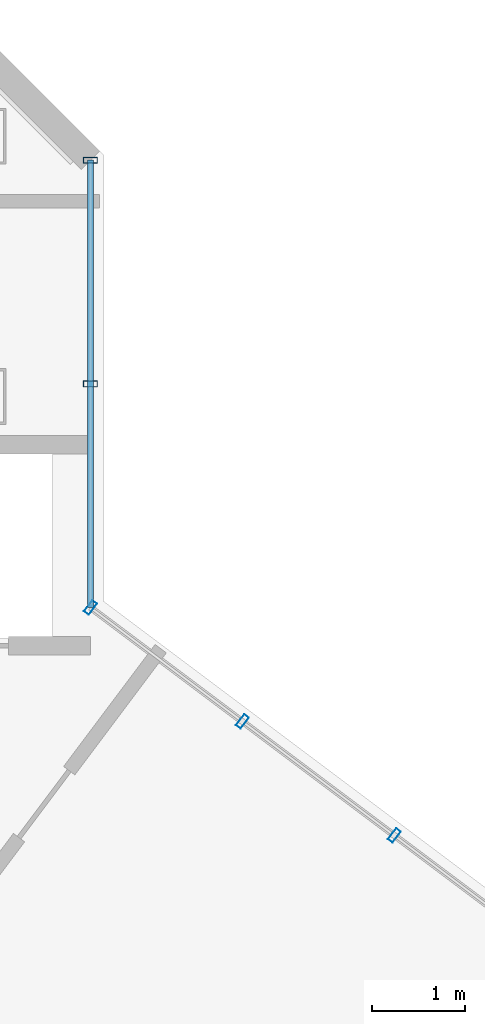
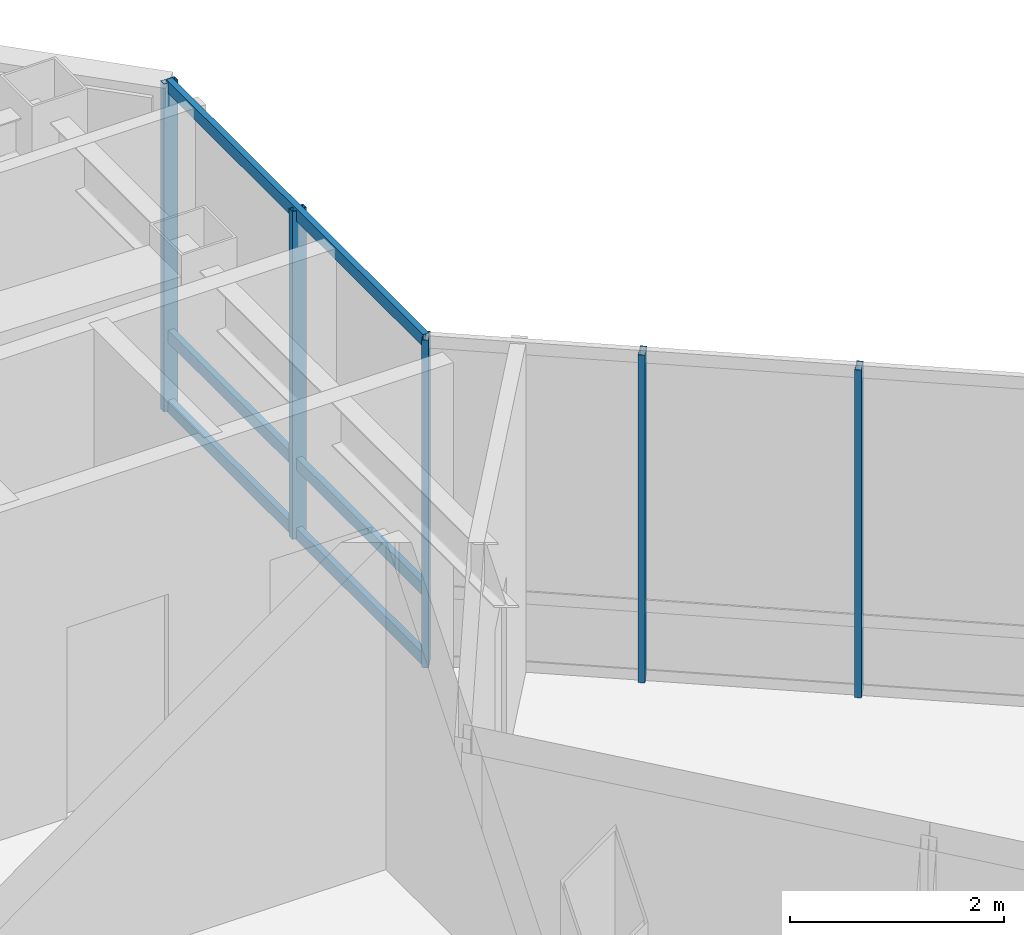
# One storey, part 19 of 30: 8 members, 2 elements without a shape of their own.
"""IFC4 building model written with IfcOpenShell, lengths in metres."""

from ifc_helpers import new_model, si_unit, direction, frame, origin, origin_2d, place, context, subcontext, project, spatial, hollow_rectangle, extrude, material, layer, layer_set, material_profile, profile_set, type_object, element, aggregate, save


model = new_model("IFC4")

# Units and contexts
model_context = context("Model", 3, precision=1e-05, world=origin(), true_north=direction((0.0, 1.0)))
body_context = subcontext(model_context, "Body", "Model", "MODEL_VIEW")
ifc_project = project(units=[si_unit("LENGTHUNIT", "METRE"), si_unit("AREAUNIT", "SQUARE_METRE"), si_unit("VOLUMEUNIT", "CUBIC_METRE"), si_unit("PLANEANGLEUNIT", "RADIAN"), si_unit("MASSUNIT", "GRAM", prefix="KILO")], contexts=[model_context])

# Site, building, storey
site_placement = place(None, origin())
site = spatial("IfcSite", under=ifc_project, at=site_placement, CompositionType="ELEMENT")
building_placement = place(site_placement, origin())
building = spatial("IfcBuilding", under=site, at=building_placement, Name="Hatsunagi Terrace Concourse", CompositionType="ELEMENT")
storey_placement = place(building_placement, frame((0.0, 0.0, 273.949951171875)))
storey = spatial("IfcBuildingStorey", under=building, at=storey_placement, Name="L72", CompositionType="ELEMENT", Elevation=273.949951171875)

# Curtain wall, members
ifc_material_1 = material(Name="Anodised Aluminium Alloy 6063-T5", Category="aluminium")
ifc_layer = layer(ifc_material_1, 0.199951171875)
ifc_layer_set = layer_set([ifc_layer], Name="CrownWintergarden_CW06")
curtain_wall_type = type_object("IfcCurtainWallType", Name="CrownWintergarden_CW06", PredefinedType="NOTDEFINED", material=ifc_layer_set)
curtain_wall_1_placement = place(storey_placement, origin())
curtain_wall_1 = element("IfcCurtainWall", 1, at=curtain_wall_1_placement, inside=storey, type_object=curtain_wall_type, Name="Unitised Curtain Wall CW-06 CW-L72-01", PredefinedType="NOTDEFINED")
ifc_material_2 = material(Name="Anodised Aluminium Alloy 6063-T5", Category="aluminium")
ifc_material_profile_1 = material_profile(ifc_material_2, hollow_rectangle(XDim=0.06494140625, YDim=0.14990234375, WallThickness=0.00390625, at=origin_2d()), Name="ALU-MUL-150x65x4")
ifc_profile_set_1 = profile_set([ifc_material_profile_1], Name="Anodised Aluminium Alloy 6063-T5")
member_type_1 = type_object("IfcMemberType", Name="CurtainWallMullion_Crown_150x65", PredefinedType="MULLION", material=ifc_profile_set_1)
member_1_placement = place(storey_placement, frame((44.860107421875, 40.72998046875, 0.0), z_axis=(0.0, 0.0, 1.0), x_axis=(0.800023013105, -0.599969314634, 0.0)))
member_1 = element("IfcMember", 2, at=member_1_placement, type_object=member_type_1, Name="Curtain Wall Mullion MUL-03", PredefinedType="MULLION", context=body_context, shape_type="SweptSolid", body=[
    extrude(hollow_rectangle(XDim=0.06494140625, YDim=0.14990234375, WallThickness=0.00390625, at=origin_2d()), origin(), (0.0, 0.0, 1.0), 3.75),
])
member_2_placement = place(storey_placement, frame((46.493896484375, 39.5048828125, 0.0), z_axis=(0.0, 0.0, 1.0), x_axis=(0.800023013105, -0.599969314634, 0.0)))
member_2 = element("IfcMember", 3, at=member_2_placement, type_object=member_type_1, Name="Curtain Wall Mullion MUL-03", PredefinedType="MULLION", context=body_context, shape_type="SweptSolid", body=[
    extrude(hollow_rectangle(XDim=0.06494140625, YDim=0.14990234375, WallThickness=0.00390625, at=origin_2d()), origin(), (0.0, 0.0, 1.0), 3.75),
])
member_3_placement = place(storey_placement, frame((48.1279296875, 38.279052734375, 0.0), z_axis=(0.0, 0.0, 1.0), x_axis=(0.800023013105, -0.599969314634, 0.0)))
member_3 = element("IfcMember", 4, at=member_3_placement, type_object=member_type_1, Name="Curtain Wall Mullion MUL-03", PredefinedType="MULLION", context=body_context, shape_type="SweptSolid", body=[
    extrude(hollow_rectangle(XDim=0.06494140625, YDim=0.14990234375, WallThickness=0.00390625, at=origin_2d()), origin(), (0.0, 0.0, 1.0), 3.75),
])
aggregate(curtain_wall_1, [member_1, member_2, member_3])

curtain_wall_2_placement = place(storey_placement, origin())
curtain_wall_2 = element("IfcCurtainWall", 5, at=curtain_wall_2_placement, inside=storey, type_object=curtain_wall_type, Name="Unitised Curtain Wall CW-06 CW-L72-11", PredefinedType="NOTDEFINED")
member_4_placement = place(storey_placement, frame((44.860107421875, 45.5419921875, 0.0), z_axis=(0.0, 0.0, 1.0), x_axis=(0.0, -1.0, 0.0)))
member_4 = element("IfcMember", 6, at=member_4_placement, type_object=member_type_1, Name="Curtain Wall Mullion MUL-03", PredefinedType="MULLION", context=body_context, shape_type="SweptSolid", body=[
    extrude(hollow_rectangle(XDim=0.06494140625, YDim=0.14990234375, WallThickness=0.00390625, at=origin_2d()), origin(), (0.0, 0.0, 1.0), 3.75),
])
member_5_placement = place(storey_placement, frame((44.860107421875, 43.135986328125, 0.0), z_axis=(0.0, 0.0, 1.0), x_axis=(0.0, -1.0, 0.0)))
member_5 = element("IfcMember", 7, at=member_5_placement, type_object=member_type_1, Name="Curtain Wall Mullion MUL-03", PredefinedType="MULLION", context=body_context, shape_type="SweptSolid", body=[
    extrude(hollow_rectangle(XDim=0.06494140625, YDim=0.14990234375, WallThickness=0.00390625, at=origin_2d()), origin(), (0.0, 0.0, 1.0), 3.75),
])
ifc_material_3 = material(Name="Anodised Aluminium Alloy 6063-T5", Category="aluminium")
ifc_material_profile_2 = material_profile(ifc_material_3, hollow_rectangle(XDim=0.06494140625, YDim=0.139892578125, WallThickness=0.00390625, at=origin_2d()), Name="ALU-TRN-140x65x4")
ifc_profile_set_2 = profile_set([ifc_material_profile_2], Name="Anodised Aluminium Alloy 6063-T5")
member_type_2 = type_object("IfcMemberType", Name="CurtainWallTransom_140x65", PredefinedType="USERDEFINED", material=ifc_profile_set_2)
member_6_placement = place(storey_placement, frame((44.860107421875, 45.5419921875, 0.050048828125), z_axis=(0.0, -1.0, 0.0), x_axis=(1.0, 0.0, 0.0)))
member_6 = element("IfcMember", 8, at=member_6_placement, type_object=member_type_2, Name="Curtain Wall Transom TRN-02", ObjectType="TRANSOM", PredefinedType="USERDEFINED", context=body_context, shape_type="SweptSolid", body=[
    extrude(hollow_rectangle(XDim=0.06494140625, YDim=0.139892578125, WallThickness=0.00390625, at=origin_2d()), origin(), (0.0, 0.0, 1.0), 4.81201171875),
])
member_7_placement = place(storey_placement, frame((44.860107421875, 45.5419921875, 0.85009765625), z_axis=(0.0, -1.0, 0.0), x_axis=(1.0, 0.0, 0.0)))
member_7 = element("IfcMember", 9, at=member_7_placement, type_object=member_type_2, Name="Curtain Wall Transom TRN-02", ObjectType="TRANSOM", PredefinedType="USERDEFINED", context=body_context, shape_type="SweptSolid", body=[
    extrude(hollow_rectangle(XDim=0.06494140625, YDim=0.139892578125, WallThickness=0.00390625, at=origin_2d()), origin(), (0.0, 0.0, 1.0), 4.81201171875),
])
member_8_placement = place(storey_placement, frame((44.860107421875, 45.5419921875, 3.699951171875), z_axis=(0.0, -1.0, 0.0), x_axis=(1.0, 0.0, 0.0)))
member_8 = element("IfcMember", 10, at=member_8_placement, type_object=member_type_2, Name="Curtain Wall Transom TRN-02", ObjectType="TRANSOM", PredefinedType="USERDEFINED", context=body_context, shape_type="SweptSolid", body=[
    extrude(hollow_rectangle(XDim=0.06494140625, YDim=0.139892578125, WallThickness=0.00390625, at=origin_2d()), origin(), (0.0, 0.0, 1.0), 4.81201171875),
])
aggregate(curtain_wall_2, [member_4, member_5, member_6, member_7, member_8])

save(model, "model.ifc")
